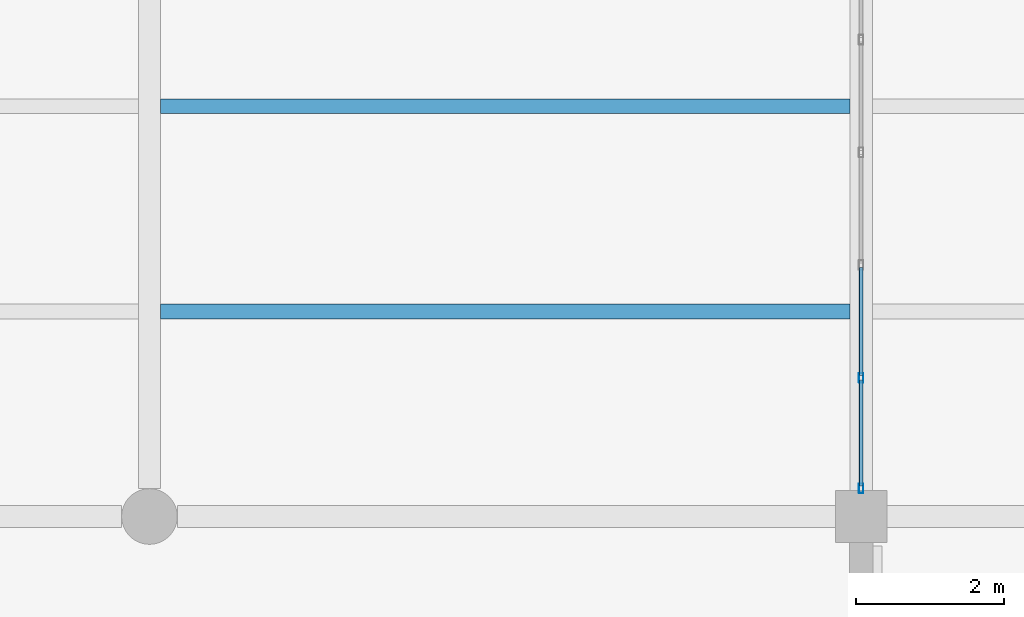
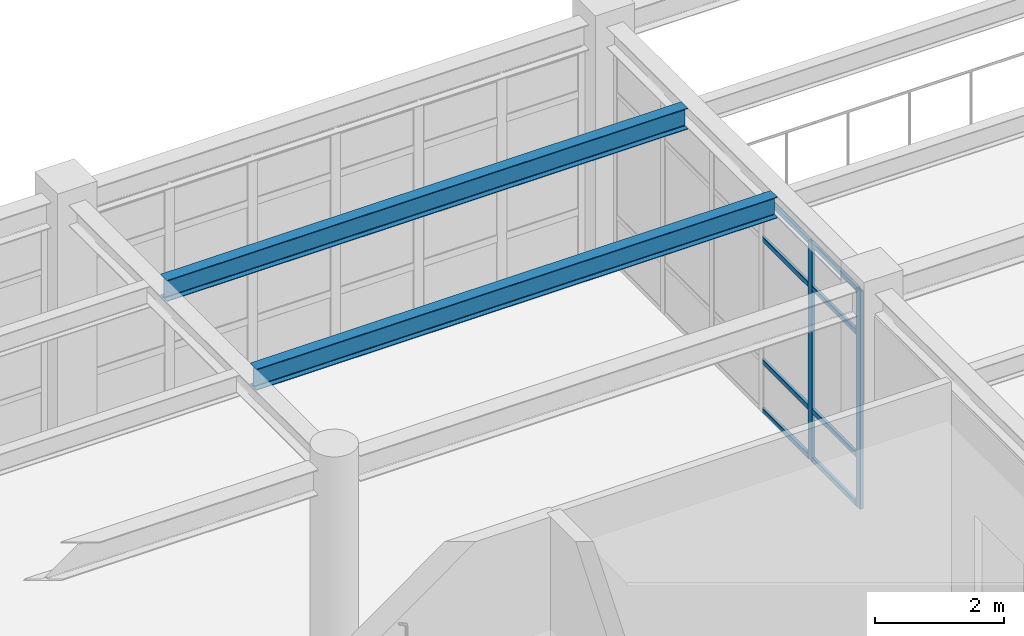
# One storey, part 63 of 98: 10 members, 2 beams, 1 element without a shape of its own.
"""IFC4 building model written with IfcOpenShell, lengths in metres."""

import ifcopenshell
import ifcopenshell.guid

model = None  # the IFC model being written
_history = None  # IfcOwnerHistory: only IFC2X3 demands one
_inside = {}  # id of a spatial element -> (the spatial element, [elements in it])
_under = {}  # id of a project, library or spatial element -> (it, [spatial elements below it])
_declared = {}  # id of a project -> (the project, [libraries it declares])
_typed = {}  # id of a type object -> (the type object, [elements of that type])
_made_of = {}  # id of a material, layer set ... -> (it, [elements and type objects made of it])


def new_model(schema):
    """Start an empty IFC model of exactly this schema.

    Asked for "IFC4X3", IfcOpenShell would pick the latest addendum, in which some entities
    have other attributes; the version numbers below select the first issue.
    IFC2X3 requires an IfcOwnerHistory on every rooted entity: one is made here for all.
    """
    global model, _history
    if schema == "IFC4X3":
        model = ifcopenshell.file(schema_version=(4, 3, 0, 0))
    else:
        model = ifcopenshell.file(schema=schema)
    _inside.clear()
    _under.clear()
    _declared.clear()
    _typed.clear()
    _made_of.clear()
    _history = None
    if model.schema == "IFC2X3":
        org = make("IfcOrganization", Name="unknown")
        user = make(
            "IfcPersonAndOrganization",
            ThePerson=make("IfcPerson", FamilyName="unknown"),
            TheOrganization=org,
        )
        app = make(
            "IfcApplication",
            ApplicationDeveloper=org,
            Version="unknown",
            ApplicationFullName="unknown",
            ApplicationIdentifier="unknown",
        )
        _history = make(
            "IfcOwnerHistory",
            OwningUser=user,
            OwningApplication=app,
            ChangeAction="ADDED",
            CreationDate=0,
        )
    return model


def make(cls, **values):
    """One entity of the class cls with the attributes given. An attribute that is None is left unset."""
    return model.create_entity(
        cls, **{name: value for name, value in values.items() if value is not None}
    )


def rooted(cls, **values):
    """An entity with a GlobalId (a new one), such as an element, a storey or a relation."""
    return make(cls, GlobalId=ifcopenshell.guid.new(), OwnerHistory=_history, **values)


def si_unit(unit_type, name, prefix=None):
    """IfcSIUnit, for example si_unit("LENGTHUNIT", "METRE", prefix="MILLI")."""
    return make("IfcSIUnit", UnitType=unit_type, Prefix=prefix, Name=name)


def assignment(units):
    """IfcUnitAssignment: the units of a project."""
    return None if units is None else make("IfcUnitAssignment", Units=units)


def point(xyz):
    """IfcCartesianPoint."""
    return None if xyz is None else make("IfcCartesianPoint", Coordinates=xyz)


def direction(xyz):
    """IfcDirection."""
    return None if xyz is None else make("IfcDirection", DirectionRatios=xyz)


def frame(location, z_axis=None, x_axis=None):
    """IfcAxis2Placement3D, a coordinate frame: its origin and axes. An axis left out is left unset."""
    return make(
        "IfcAxis2Placement3D",
        Location=point(location),
        Axis=direction(z_axis),
        RefDirection=direction(x_axis),
    )


def frame_2d(location, x_axis=None):
    """IfcAxis2Placement2D, a coordinate frame in the plane: its origin and x axis."""
    return make(
        "IfcAxis2Placement2D", Location=point(location), RefDirection=direction(x_axis)
    )


def origin():
    """The frame at (0, 0, 0) with its axes left unset."""
    return frame((0.0, 0.0, 0.0))


def origin_2d():
    """The frame at (0, 0) in the plane with its x axis left unset."""
    return frame_2d((0.0, 0.0))


def place(relative_to, where):
    """IfcLocalPlacement: puts the frame where relative to a parent placement (None: the world)."""
    return make(
        "IfcLocalPlacement", PlacementRelTo=relative_to, RelativePlacement=where
    )


def context(
    kind, dimensions, precision=None, world=None, true_north=None, identifier=None
):
    """IfcGeometricRepresentationContext, for example the 3D "Model" context."""
    return make(
        "IfcGeometricRepresentationContext",
        ContextIdentifier=identifier,
        ContextType=kind,
        CoordinateSpaceDimension=dimensions,
        Precision=precision,
        WorldCoordinateSystem=world,
        TrueNorth=true_north,
    )


def subcontext(parent, identifier, kind, view, scale=None):
    """IfcGeometricRepresentationSubContext, for example "Body" below "Model"."""
    return make(
        "IfcGeometricRepresentationSubContext",
        ContextIdentifier=identifier,
        ContextType=kind,
        ParentContext=parent,
        TargetScale=scale,
        TargetView=view,
    )


def project(units=None, contexts=None):
    """IfcProject with its units and contexts."""
    return rooted(
        "IfcProject",
        Name="project",
        RepresentationContexts=contexts,
        UnitsInContext=assignment(units),
    )


def spatial(cls, under=None, at=None, **own):
    """A site, building, storey or space (cls), placed at a placement, below another one or the project."""
    s = rooted(cls, ObjectPlacement=at, **own)
    if under is not None:
        _under.setdefault(under.id(), (under, []))[1].append(s)
    return s


def profile(cls, at=None, kind="AREA", **sizes):
    """A parametric profile (cls). Its sizes go by their IFC names, for example OverallWidth=200.0."""
    return make(cls, ProfileType=kind, Position=at, **sizes)


def hollow_rectangle(**sizes):
    """IfcRectangleHollowProfileDef."""
    return profile("IfcRectangleHollowProfileDef", **sizes)


def i_section(**sizes):
    """IfcIShapeProfileDef."""
    return profile("IfcIShapeProfileDef", **sizes)


def extrude(swept, where, along, depth):
    """IfcExtrudedAreaSolid: the profile swept, set in the frame where, extruded along a direction by depth."""
    return make(
        "IfcExtrudedAreaSolid",
        SweptArea=swept,
        Position=where,
        ExtrudedDirection=direction(along),
        Depth=depth,
    )


def shape(context_of_items, identifier, shape_type, items):
    """IfcShapeRepresentation: the items that make up one representation, for example the "Body"."""
    return make(
        "IfcShapeRepresentation",
        ContextOfItems=context_of_items,
        RepresentationIdentifier=identifier,
        RepresentationType=shape_type,
        Items=items,
    )


def material(Name=None, Category=None):
    """IfcMaterial."""
    return make("IfcMaterial", Name=Name, Category=Category)


def material_profile(
    of_material, cross_section, Name=None, Category=None, Priority=None
):
    """IfcMaterialProfile: a cross section and its material."""
    return make(
        "IfcMaterialProfile",
        Name=Name,
        Material=of_material,
        Profile=cross_section,
        Priority=Priority,
        Category=Category,
    )


def profile_set(profiles, Name=None, composite=None):
    """IfcMaterialProfileSet."""
    return make(
        "IfcMaterialProfileSet",
        Name=Name,
        MaterialProfiles=profiles,
        CompositeProfile=composite,
    )


def made_of(thing, what):
    """Note that an element or type object is made of a material, layer set ...; save() writes the relation."""
    if what is not None:
        _made_of.setdefault(what.id(), (what, []))[1].append(thing)
    return thing


def type_object(cls, material=None, **own):
    """A type object (cls), such as IfcWallType, which elements share."""
    return made_of(rooted(cls, **own), material)


def element(
    cls,
    number,
    at=None,
    inside=None,
    cuts=None,
    type_object=None,
    material=None,
    context=None,
    identifier="Body",
    shape_type=None,
    held_by="IfcProductDefinitionShape",
    body=None,
    shapes=None,
    **own,
):
    """One element of the class cls, such as IfcWall. Its Tag is "e" and its number.

    at: its placement. inside: the storey or other place that contains it. cuts: it is an
    opening in that element (IfcRelVoidsElement). A single representation is given by context,
    identifier, shape_type and body (its items); several are given by shapes. held_by: the class
    of the entity that holds the representations. save() writes the other relations.
    """
    e = rooted(cls, Tag="e%d" % number, ObjectPlacement=at, **own)
    if body is not None:
        shapes = [shape(context, identifier, shape_type, body)]
    if shapes is not None:
        e.Representation = make(held_by, Representations=shapes)
    if inside is not None:
        _inside.setdefault(inside.id(), (inside, []))[1].append(e)
    if cuts is not None:
        rooted(
            "IfcRelVoidsElement", RelatingBuildingElement=cuts, RelatedOpeningElement=e
        )
    if type_object is not None:
        _typed.setdefault(type_object.id(), (type_object, []))[1].append(e)
    return made_of(e, material)


def aggregate(whole, parts):
    """IfcRelAggregates: a whole, such as a stair, and the parts it consists of."""
    return rooted("IfcRelAggregates", RelatingObject=whole, RelatedObjects=parts)


def save(model, path):
    """Write the relations noted so far, then the file.

    IfcRelAggregates (storeys below a building ...), IfcRelContainedInSpatialStructure (elements
    in a storey), IfcRelDefinesByType, IfcRelAssociatesMaterial and IfcRelDeclares: one each for
    every whole, place, type object, material and project.
    """
    for whole, parts in _under.values():
        aggregate(whole, parts)
    for where, things in _inside.values():
        rooted(
            "IfcRelContainedInSpatialStructure",
            RelatedElements=things,
            RelatingStructure=where,
        )
    for kind, things in _typed.values():
        rooted("IfcRelDefinesByType", RelatedObjects=things, RelatingType=kind)
    for what, things in _made_of.values():
        rooted("IfcRelAssociatesMaterial", RelatedObjects=things, RelatingMaterial=what)
    for by, libraries in _declared.values():
        rooted("IfcRelDeclares", RelatingContext=by, RelatedDefinitions=libraries)
    model.write(path)


model = new_model("IFC4")

# Units and contexts
model_context = context("Model", 3, precision=1e-05, world=origin(), true_north=direction((0.0, 1.0)))
body_context = subcontext(model_context, "Body", "Model", "MODEL_VIEW")
ifc_project = project(units=[si_unit("LENGTHUNIT", "METRE"), si_unit("AREAUNIT", "SQUARE_METRE"), si_unit("VOLUMEUNIT", "CUBIC_METRE"), si_unit("PLANEANGLEUNIT", "RADIAN"), si_unit("MASSUNIT", "GRAM", prefix="KILO")], contexts=[model_context])

# Site, building, storey
site_placement = place(None, origin())
site = spatial("IfcSite", under=ifc_project, at=site_placement, CompositionType="ELEMENT")
building_placement = place(site_placement, origin())
building = spatial("IfcBuilding", under=site, at=building_placement, Name="Canglan Escarpment Cableway Terminal", CompositionType="ELEMENT")
storey_placement = place(building_placement, frame((0.0, 0.0, 9.60009765625)))
storey = spatial("IfcBuildingStorey", under=building, at=storey_placement, Name="L02", CompositionType="ELEMENT", Elevation=9.60009765625)

# Curtain wall, members
ifc_material_1 = material(Name="Anodized bronze aluminium and Low-E double glazing", Category="aluminium")
curtain_wall_type = type_object("IfcCurtainWallType", Name="CW-BAY-7600x4125", PredefinedType="NOTDEFINED", material=ifc_material_1)
curtain_wall_placement = place(storey_placement, origin())
curtain_wall = element("IfcCurtainWall", 1, at=curtain_wall_placement, inside=storey, type_object=curtain_wall_type, Name="Classical bay-between-piers glazed curtain wall CW-23", PredefinedType="NOTDEFINED")
ifc_material_2 = material(Name="Thermally broken anodized aluminium 6063-T6", Category="aluminium")
ifc_material_profile_1 = material_profile(ifc_material_2, hollow_rectangle(XDim=0.06005859375, YDim=0.1298828125, WallThickness=0.0029296875, InnerFilletRadius=0.0029296875, OuterFilletRadius=0.006103515625, at=origin_2d()), Name="ALU-MULL 60x130x3")
ifc_profile_set_1 = profile_set([ifc_material_profile_1], Name="Thermally broken anodized aluminium 6063-T6")
member_type_1 = type_object("IfcMemberType", Name="CWM-01", PredefinedType="MULLION", material=ifc_profile_set_1)
member_1_placement = place(storey_placement, frame((166.39990234375, 25.179931640625, 0.0), z_axis=(0.0, 0.0, 1.0), x_axis=(-1.0, 0.0, 0.0)))
member_1 = element("IfcMember", 2, at=member_1_placement, type_object=member_type_1, Name="CW-23 mullion 1", PredefinedType="MULLION", context=body_context, shape_type="SweptSolid", body=[
    extrude(hollow_rectangle(XDim=0.06005859375, YDim=0.1298828125, WallThickness=0.0029296875, InnerFilletRadius=0.0029296875, OuterFilletRadius=0.006103515625, at=origin_2d()), origin(), (0.0, 0.0, 1.0), 4.114990234375),
])
member_2_placement = place(storey_placement, frame((166.39990234375, 26.669921875, 0.0), z_axis=(0.0, 0.0, 1.0), x_axis=(-1.0, 0.0, 0.0)))
member_2 = element("IfcMember", 3, at=member_2_placement, type_object=member_type_1, Name="CW-23 mullion 2", PredefinedType="MULLION", context=body_context, shape_type="SweptSolid", body=[
    extrude(hollow_rectangle(XDim=0.06005859375, YDim=0.1298828125, WallThickness=0.0029296875, InnerFilletRadius=0.0029296875, OuterFilletRadius=0.006103515625, at=origin_2d()), origin(), (0.0, 0.0, 1.0), 4.114990234375),
])
ifc_material_profile_2 = material_profile(ifc_material_2, hollow_rectangle(XDim=0.054931640625, YDim=0.094970703125, WallThickness=0.0029296875, InnerFilletRadius=0.0029296875, OuterFilletRadius=0.006103515625, at=origin_2d()), Name="ALU-TRAN 55x95x3")
ifc_profile_set_2 = profile_set([ifc_material_profile_2], Name="Thermally broken anodized aluminium 6063-T6")
member_type_2 = type_object("IfcMemberType", Name="CWT-01", PredefinedType="USERDEFINED", material=ifc_profile_set_2)
member_3_placement = place(storey_placement, frame((166.39990234375, 25.2099609375, 0.02734375), z_axis=(0.0, 1.0, 0.0), x_axis=(-1.0, 0.0, 0.0)))
member_3 = element("IfcMember", 4, at=member_3_placement, type_object=member_type_2, Name="CW-23 transom 1.1", ObjectType="TRANSOM", PredefinedType="USERDEFINED", context=body_context, shape_type="SweptSolid", body=[
    extrude(hollow_rectangle(XDim=0.054931640625, YDim=0.094970703125, WallThickness=0.0029296875, InnerFilletRadius=0.0029296875, OuterFilletRadius=0.006103515625, at=origin_2d()), origin(), (0.0, 0.0, 1.0), 1.429931640625),
])
member_4_placement = place(storey_placement, frame((166.39990234375, 25.2099609375, 0.949951171875), z_axis=(0.0, 1.0, 0.0), x_axis=(-1.0, 0.0, 0.0)))
member_4 = element("IfcMember", 5, at=member_4_placement, type_object=member_type_2, Name="CW-23 transom 1.2", ObjectType="TRANSOM", PredefinedType="USERDEFINED", context=body_context, shape_type="SweptSolid", body=[
    extrude(hollow_rectangle(XDim=0.054931640625, YDim=0.094970703125, WallThickness=0.0029296875, InnerFilletRadius=0.0029296875, OuterFilletRadius=0.006103515625, at=origin_2d()), origin(), (0.0, 0.0, 1.0), 1.429931640625),
])
member_5_placement = place(storey_placement, frame((166.39990234375, 25.2099609375, 3.264892578125), z_axis=(0.0, 1.0, 0.0), x_axis=(-1.0, 0.0, 0.0)))
member_5 = element("IfcMember", 6, at=member_5_placement, type_object=member_type_2, Name="CW-23 transom 1.3", ObjectType="TRANSOM", PredefinedType="USERDEFINED", context=body_context, shape_type="SweptSolid", body=[
    extrude(hollow_rectangle(XDim=0.054931640625, YDim=0.094970703125, WallThickness=0.0029296875, InnerFilletRadius=0.0029296875, OuterFilletRadius=0.006103515625, at=origin_2d()), origin(), (0.0, 0.0, 1.0), 1.429931640625),
])
member_6_placement = place(storey_placement, frame((166.39990234375, 25.2099609375, 4.08740234375), z_axis=(0.0, 1.0, 0.0), x_axis=(-1.0, 0.0, 0.0)))
member_6 = element("IfcMember", 7, at=member_6_placement, type_object=member_type_2, Name="CW-23 transom 1.4", ObjectType="TRANSOM", PredefinedType="USERDEFINED", context=body_context, shape_type="SweptSolid", body=[
    extrude(hollow_rectangle(XDim=0.054931640625, YDim=0.094970703125, WallThickness=0.0029296875, InnerFilletRadius=0.0029296875, OuterFilletRadius=0.006103515625, at=origin_2d()), origin(), (0.0, 0.0, 1.0), 1.429931640625),
])
member_7_placement = place(storey_placement, frame((166.39990234375, 26.699951171875, 0.02734375), z_axis=(0.0, 1.0, 0.0), x_axis=(-1.0, 0.0, 0.0)))
member_7 = element("IfcMember", 8, at=member_7_placement, type_object=member_type_2, Name="CW-23 transom 2.1", ObjectType="TRANSOM", PredefinedType="USERDEFINED", context=body_context, shape_type="SweptSolid", body=[
    extrude(hollow_rectangle(XDim=0.054931640625, YDim=0.094970703125, WallThickness=0.0029296875, InnerFilletRadius=0.0029296875, OuterFilletRadius=0.006103515625, at=origin_2d()), origin(), (0.0, 0.0, 1.0), 1.4599609375),
])
member_8_placement = place(storey_placement, frame((166.39990234375, 26.699951171875, 0.949951171875), z_axis=(0.0, 1.0, 0.0), x_axis=(-1.0, 0.0, 0.0)))
member_8 = element("IfcMember", 9, at=member_8_placement, type_object=member_type_2, Name="CW-23 transom 2.2", ObjectType="TRANSOM", PredefinedType="USERDEFINED", context=body_context, shape_type="SweptSolid", body=[
    extrude(hollow_rectangle(XDim=0.054931640625, YDim=0.094970703125, WallThickness=0.0029296875, InnerFilletRadius=0.0029296875, OuterFilletRadius=0.006103515625, at=origin_2d()), origin(), (0.0, 0.0, 1.0), 1.4599609375),
])
member_9_placement = place(storey_placement, frame((166.39990234375, 26.699951171875, 3.264892578125), z_axis=(0.0, 1.0, 0.0), x_axis=(-1.0, 0.0, 0.0)))
member_9 = element("IfcMember", 10, at=member_9_placement, type_object=member_type_2, Name="CW-23 transom 2.3", ObjectType="TRANSOM", PredefinedType="USERDEFINED", context=body_context, shape_type="SweptSolid", body=[
    extrude(hollow_rectangle(XDim=0.054931640625, YDim=0.094970703125, WallThickness=0.0029296875, InnerFilletRadius=0.0029296875, OuterFilletRadius=0.006103515625, at=origin_2d()), origin(), (0.0, 0.0, 1.0), 1.4599609375),
])
member_10_placement = place(storey_placement, frame((166.39990234375, 26.699951171875, 4.08740234375), z_axis=(0.0, 1.0, 0.0), x_axis=(-1.0, 0.0, 0.0)))
member_10 = element("IfcMember", 11, at=member_10_placement, type_object=member_type_2, Name="CW-23 transom 2.4", ObjectType="TRANSOM", PredefinedType="USERDEFINED", context=body_context, shape_type="SweptSolid", body=[
    extrude(hollow_rectangle(XDim=0.054931640625, YDim=0.094970703125, WallThickness=0.0029296875, InnerFilletRadius=0.0029296875, OuterFilletRadius=0.006103515625, at=origin_2d()), origin(), (0.0, 0.0, 1.0), 1.4599609375),
])
aggregate(curtain_wall, [member_1, member_2, member_3, member_4, member_5, member_6, member_7, member_8, member_9, member_10])

# Beams
ifc_material_3 = material(Name="Steel Q355B", Category="steel")
ifc_material_profile_3 = material_profile(ifc_material_3, i_section(OverallWidth=0.199951171875, OverallDepth=0.39990234375, WebThickness=0.008056640625, FlangeThickness=0.012939453125, FilletRadius=0.01611328125, at=origin_2d()), Name="HN 400x200x8x13")
ifc_profile_set_3 = profile_set([ifc_material_profile_3], Name="Steel Q355B")
beam_type = type_object("IfcBeamType", Name="JS-HN400", PredefinedType="JOIST", material=ifc_profile_set_3)
for number, where, z_axis, x_axis, name in (
    (12, (156.949951171875, 27.566650390625, 4.31982421875), (1.0, 0.0, 0.0), (0.0, 1.0, 0.0), "Secondary composite deck joist J-03"),
    (13, (156.949951171875, 30.333251953125, 4.31982421875), (1.0, 0.0, 0.0), (0.0, 1.0, 0.0), "Secondary composite deck joist J-03"),
):
    element("IfcBeam", number, at=place(storey_placement, frame(where, z_axis=z_axis, x_axis=x_axis)), inside=storey, type_object=beam_type, Name=name, PredefinedType="JOIST", context=body_context, shape_type="SweptSolid", body=[
        extrude(i_section(OverallWidth=0.199951171875, OverallDepth=0.39990234375, WebThickness=0.008056640625, FlangeThickness=0.012939453125, FilletRadius=0.01611328125, at=origin_2d()), origin(), (0.0, 0.0, 1.0), 9.300048828125),
    ])

save(model, "model.ifc")
